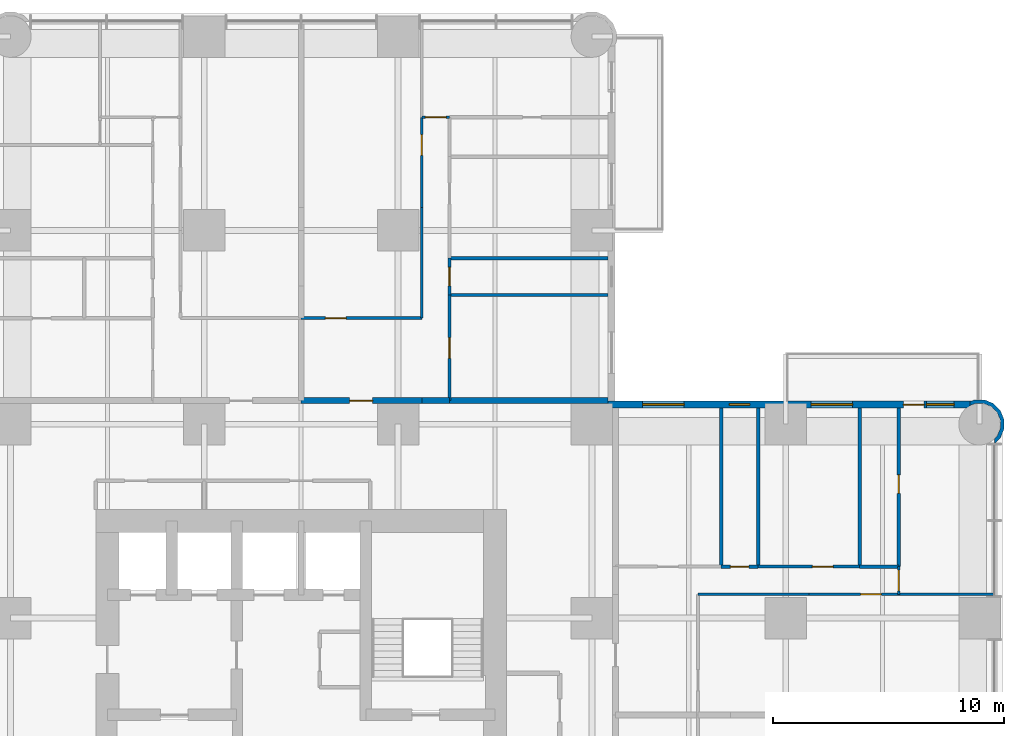
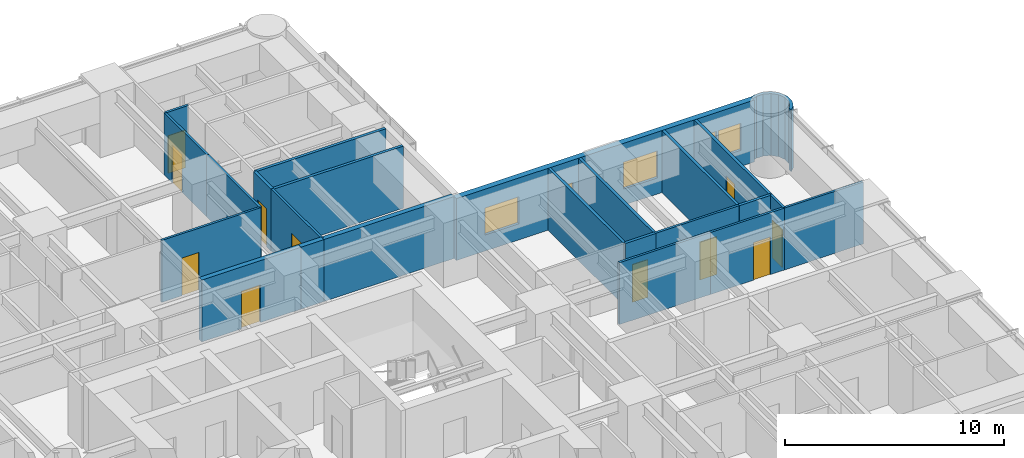
# One storey, part 14 of 17: 24 walls, 12 doors, 4 windows, 16 openings.
"""IFC4 building model written with IfcOpenShell, lengths in metres."""

from ifc_helpers import new_model, si_unit, direction, frame, frame_2d, origin, place, context, subcontext, project, spatial, polyline, rectangle, outline, extrude, material, layer, layer_set, type_object, element, fill, save


model = new_model("IFC4")

# Units and contexts
model_context = context("Model", 3, precision=1e-05, world=origin(), true_north=direction((0.0, 1.0)))
body_context = subcontext(model_context, "Body", "Model", "MODEL_VIEW")
ifc_project = project(units=[si_unit("LENGTHUNIT", "METRE"), si_unit("AREAUNIT", "SQUARE_METRE"), si_unit("VOLUMEUNIT", "CUBIC_METRE"), si_unit("PLANEANGLEUNIT", "RADIAN"), si_unit("MASSUNIT", "GRAM", prefix="KILO")], contexts=[model_context])

# Site, building, storey
site_placement = place(None, origin())
site = spatial("IfcSite", under=ifc_project, at=site_placement, CompositionType="ELEMENT")
building_placement = place(site_placement, origin())
building = spatial("IfcBuilding", under=site, at=building_placement, Name="Torre Alcanfor", CompositionType="ELEMENT")
storey_placement = place(building_placement, frame((0.0, 0.0, 74.10009765625)))
storey = spatial("IfcBuildingStorey", under=building, at=storey_placement, Name="L18", CompositionType="ELEMENT", Elevation=74.10009765625)

# Wall, opening, door
ifc_material_1 = material(Name="Concrete block masonry, hollow blocks NMX-C-404 9 MPa", Category="masonry")
ifc_layer_1 = layer(ifc_material_1, 0.25)
ifc_layer_set_1 = layer_set([ifc_layer_1], Name="Apartment entrance wall 250 EI 60")
wall_type_1 = type_object("IfcWallType", Name="Apartment entrance wall 250 EI 60", PredefinedType="PARTITIONING", material=ifc_layer_set_1)
wall_1_placement = place(storey_placement, frame((29.39990234375, 43.02490234375, 0.0), z_axis=(0.0, 0.0, 1.0), x_axis=(1.0, 0.0, 0.0)))
wall_1 = element("IfcWall", 1, at=wall_1_placement, inside=storey, type_object=wall_type_1, Name="Partition L18-CORR / L18-N2-ZAG", PredefinedType="PARTITIONING", context=body_context, shape_type="SweptSolid", body=[
    extrude(rectangle(XDim=5.22900390625, YDim=0.25, at=frame_2d((2.614501953125, 0.0))), origin(), (0.0, 0.0, 1.0), 3.449951171875),
])
opening_1_placement = place(wall_1_placement, frame((2.10009765625, 0.0, 0.0)))
opening_1 = element("IfcOpeningElement", 2, at=opening_1_placement, cuts=wall_1, Name="Opening D-A1", PredefinedType="OPENING", context=body_context, shape_type="SweptSolid", body=[
    extrude(rectangle(XDim=1.0, YDim=2.10009765625, at=frame_2d((0.5, 1.050048828125))), frame((0.0, 0.135009765625, 0.0), z_axis=(0.0, -1.0, 0.0), x_axis=(1.0, 0.0, 0.0)), (0.0, 0.0, 1.0), 0.27001953125),
])
ifc_material_2 = material(Name="Galvanised steel sheet ASTM A653", Category="steel")
door_type_1 = type_object("IfcDoorType", Name="Apartment entrance door FD60 1000x2100", OperationType="SINGLE_SWING_LEFT", PredefinedType="DOOR", material=ifc_material_2)
door_1_placement = place(opening_1_placement, origin())
door_1 = element("IfcDoor", 3, at=door_1_placement, inside=storey, type_object=door_type_1, Name="Apartment entrance L18-N2", OperationType="SINGLE_SWING_LEFT", OverallHeight=2.10009765625, OverallWidth=1.0, PredefinedType="DOOR", context=body_context, shape_type="SweptSolid", body=[
    extrude(rectangle(XDim=1.0, YDim=2.10009765625, at=frame_2d((0.5, 1.050048828125))), frame((0.0, 0.02490234375, 0.0), z_axis=(0.0, -1.0, 0.0), x_axis=(1.0, 0.0, 0.0)), (0.0, 0.0, 1.0), 0.050048828125),
])
fill(opening_1, door_1)

# Walls
wall_2_placement = place(storey_placement, frame((34.62890625, 43.02490234375, 0.0), z_axis=(0.0, 0.0, 1.0), x_axis=(1.0, 0.0, 0.0)))
element("IfcWall", 4, at=wall_2_placement, inside=storey, type_object=wall_type_1, Name="Partition L18-CORR / L18-N2-HALL", PredefinedType="PARTITIONING", context=body_context, shape_type="SweptSolid", body=[
    extrude(rectangle(XDim=1.2001953125, YDim=0.25, at=frame_2d((0.60009765625, 0.0))), origin(), (0.0, 0.0, 1.0), 3.449951171875),
])
wall_3_placement = place(storey_placement, frame((35.8291015625, 43.02490234375, 0.0), z_axis=(0.0, 0.0, 1.0), x_axis=(1.0, 0.0, 0.0)))
element("IfcWall", 5, at=wall_3_placement, inside=storey, type_object=wall_type_1, Name="Partition L18-CORR / L18-N2-BED3", PredefinedType="PARTITIONING", context=body_context, shape_type="SweptSolid", body=[
    extrude(rectangle(XDim=6.870849609375, YDim=0.25, at=frame_2d((3.435546875, 0.0))), origin(), (0.0, 0.0, 1.0), 3.449951171875),
])

# Wall, opening, door
ifc_material_3 = material(Name="Gypsum board on steel studs", Category="steel")
ifc_layer_2 = layer(ifc_material_3, 0.1201171875)
ifc_layer_set_2 = layer_set([ifc_layer_2], Name="Apartment partition 120")
wall_type_2 = type_object("IfcWallType", Name="Apartment partition 120", PredefinedType="PARTITIONING", material=ifc_layer_set_2)
wall_4_placement = place(storey_placement, frame((29.39990234375, 46.60009765625, 0.0), z_axis=(0.0, 0.0, 1.0), x_axis=(1.0, 0.0, 0.0)))
wall_4 = element("IfcWall", 6, at=wall_4_placement, inside=storey, type_object=wall_type_2, Name="Partition L18-N2-ZAG / L18-N2-KITCHEN", PredefinedType="PARTITIONING", context=body_context, shape_type="SweptSolid", body=[
    extrude(rectangle(XDim=5.22900390625, YDim=0.1201171875, at=frame_2d((2.614501953125, 0.0))), origin(), (0.0, 0.0, 1.0), 3.449951171875),
])
opening_2_placement = place(wall_4_placement, frame((1.050048828125, 0.0, 0.0)))
opening_2 = element("IfcOpeningElement", 7, at=opening_2_placement, cuts=wall_4, Name="Opening D-R1", PredefinedType="OPENING", context=body_context, shape_type="SweptSolid", body=[
    extrude(rectangle(XDim=0.89990234375, YDim=2.10009765625, at=frame_2d((0.449951171875, 1.050048828125))), frame((0.0, 0.070068359375, 0.0), z_axis=(0.0, -1.0, 0.0), x_axis=(1.0, 0.0, 0.0)), (0.0, 0.0, 1.0), 0.14013671875),
])
ifc_material_4 = material(Name="Timber", Category="wood")
door_type_2 = type_object("IfcDoorType", Name="Internal door 900x2100", OperationType="SINGLE_SWING_LEFT", PredefinedType="DOOR", material=ifc_material_4)
door_2_placement = place(opening_2_placement, origin())
door_2 = element("IfcDoor", 8, at=door_2_placement, inside=storey, type_object=door_type_2, Name="Door L18-N2 kitchen", OperationType="SINGLE_SWING_LEFT", OverallHeight=2.10009765625, OverallWidth=0.89990234375, PredefinedType="DOOR", context=body_context, shape_type="SweptSolid", body=[
    extrude(rectangle(XDim=0.89990234375, YDim=2.10009765625, at=frame_2d((0.449951171875, 1.050048828125))), frame((0.0, 0.02490234375, 0.0), z_axis=(0.0, -1.0, 0.0), x_axis=(1.0, 0.0, 0.0)), (0.0, 0.0, 1.0), 0.050048828125),
])
fill(opening_2, door_2)

# Wall
wall_5_placement = place(storey_placement, frame((34.62890625, 51.39990234375, 0.0), z_axis=(0.0, 0.0, 1.0), x_axis=(0.0, -1.0, 0.0)))
element("IfcWall", 9, at=wall_5_placement, inside=storey, type_object=wall_type_2, Name="Partition L18-N2-KITCHEN / L18-N2-HALL", PredefinedType="PARTITIONING", context=body_context, shape_type="SweptSolid", body=[
    extrude(rectangle(XDim=4.7998046875, YDim=0.1201171875, at=frame_2d((2.39990234375, 0.0))), origin(), (0.0, 0.0, 1.0), 3.449951171875),
])

# Wall, opening, door
wall_6_placement = place(storey_placement, frame((34.62890625, 55.300048828125, 0.0), z_axis=(0.0, 0.0, 1.0), x_axis=(0.0, -1.0, 0.0)))
wall_6 = element("IfcWall", 10, at=wall_6_placement, inside=storey, type_object=wall_type_2, Name="Partition L18-N2-LIVING / L18-N2-HALL", PredefinedType="PARTITIONING", context=body_context, shape_type="SweptSolid", body=[
    extrude(rectangle(XDim=3.900146484375, YDim=0.1201171875, at=frame_2d((1.9501953125, 0.0))), origin(), (0.0, 0.0, 1.0), 3.449951171875),
])
opening_3_placement = place(wall_6_placement, frame((0.75, 0.0, 0.0)))
opening_3 = element("IfcOpeningElement", 11, at=opening_3_placement, cuts=wall_6, Name="Opening D-R1", PredefinedType="OPENING", context=body_context, shape_type="SweptSolid", body=[
    extrude(rectangle(XDim=0.89990234375, YDim=2.10009765625, at=frame_2d((0.449951171875, 1.050048828125))), frame((0.0, 0.070068359375, 0.0), z_axis=(0.0, -1.0, 0.0), x_axis=(1.0, 0.0, 0.0)), (0.0, 0.0, 1.0), 0.14013671875),
])
door_3_placement = place(opening_3_placement, frame((0.89990234375, 0.0, 0.0), z_axis=(0.0, 0.0, 1.0), x_axis=(-1.0, 0.0, 0.0)))
door_3 = element("IfcDoor", 12, at=door_3_placement, inside=storey, type_object=door_type_2, Name="Door L18-N2 living", OperationType="SINGLE_SWING_LEFT", OverallHeight=2.10009765625, OverallWidth=0.89990234375, PredefinedType="DOOR", context=body_context, shape_type="SweptSolid", body=[
    extrude(rectangle(XDim=0.89990234375, YDim=2.10009765625, at=frame_2d((0.449951171875, 1.050048828125))), frame((0.0, 0.025146484375, 0.0), z_axis=(0.0, -1.0, 0.0), x_axis=(1.0, 0.0, 0.0)), (0.0, 0.0, 1.0), 0.050048828125),
])
fill(opening_3, door_3)

wall_7_placement = place(storey_placement, frame((35.8291015625, 47.60009765625, 0.0), z_axis=(0.0, 0.0, 1.0), x_axis=(0.0, -1.0, 0.0)))
wall_7 = element("IfcWall", 13, at=wall_7_placement, inside=storey, type_object=wall_type_2, Name="Partition L18-N2-HALL / L18-N2-BED3", PredefinedType="PARTITIONING", context=body_context, shape_type="SweptSolid", body=[
    extrude(rectangle(XDim=4.5751953125, YDim=0.1201171875, at=frame_2d((2.28759765625, 0.0))), origin(), (0.0, 0.0, 1.0), 3.449951171875),
])
opening_4_placement = place(wall_7_placement, frame((1.85009765625, 0.0, 0.0)))
opening_4 = element("IfcOpeningElement", 14, at=opening_4_placement, cuts=wall_7, Name="Opening D-R1", PredefinedType="OPENING", context=body_context, shape_type="SweptSolid", body=[
    extrude(rectangle(XDim=0.89990234375, YDim=2.10009765625, at=frame_2d((0.449951171875, 1.050048828125))), frame((0.0, 0.070068359375, 0.0), z_axis=(0.0, -1.0, 0.0), x_axis=(1.0, 0.0, 0.0)), (0.0, 0.0, 1.0), 0.14013671875),
])
door_4_placement = place(opening_4_placement, origin())
door_4 = element("IfcDoor", 15, at=door_4_placement, inside=storey, type_object=door_type_2, Name="Door L18-N2 bed3", OperationType="SINGLE_SWING_RIGHT", OverallHeight=2.10009765625, OverallWidth=0.89990234375, PredefinedType="DOOR", context=body_context, shape_type="SweptSolid", body=[
    extrude(rectangle(XDim=0.89990234375, YDim=2.10009765625, at=frame_2d((0.449951171875, 1.050048828125))), frame((0.0, 0.02490234375, 0.0), z_axis=(0.0, -1.0, 0.0), x_axis=(1.0, 0.0, 0.0)), (0.0, 0.0, 1.0), 0.050048828125),
])
fill(opening_4, door_4)

wall_8_placement = place(storey_placement, frame((34.62890625, 55.300048828125, 0.0), z_axis=(0.0, 0.0, 1.0), x_axis=(1.0, 0.0, 0.0)))
wall_8 = element("IfcWall", 16, at=wall_8_placement, inside=storey, type_object=wall_type_2, Name="Partition L18-N2-HALL / L18-N2-MASTER", PredefinedType="PARTITIONING", context=body_context, shape_type="SweptSolid", body=[
    extrude(rectangle(XDim=1.2001953125, YDim=0.1201171875, at=frame_2d((0.60009765625, 0.0))), origin(), (0.0, 0.0, 1.0), 3.449951171875),
])
opening_5_placement = place(wall_8_placement, frame((0.15087890625, 0.0, 0.0)))
opening_5 = element("IfcOpeningElement", 17, at=opening_5_placement, cuts=wall_8, Name="Opening D-R1", PredefinedType="OPENING", context=body_context, shape_type="SweptSolid", body=[
    extrude(rectangle(XDim=0.89990234375, YDim=2.10009765625, at=frame_2d((0.449951171875, 1.050048828125))), frame((0.0, 0.070068359375, 0.0), z_axis=(0.0, -1.0, 0.0), x_axis=(1.0, 0.0, 0.0)), (0.0, 0.0, 1.0), 0.14013671875),
])
door_5_placement = place(opening_5_placement, origin())
door_5 = element("IfcDoor", 18, at=door_5_placement, inside=storey, type_object=door_type_2, Name="Door L18-N2 master", OperationType="SINGLE_SWING_LEFT", OverallHeight=2.10009765625, OverallWidth=0.89990234375, PredefinedType="DOOR", context=body_context, shape_type="SweptSolid", body=[
    extrude(rectangle(XDim=0.89990234375, YDim=2.10009765625, at=frame_2d((0.449951171875, 1.050048828125))), frame((0.0, 0.02490234375, 0.0), z_axis=(0.0, -1.0, 0.0), x_axis=(1.0, 0.0, 0.0)), (0.0, 0.0, 1.0), 0.050048828125),
])
fill(opening_5, door_5)

# Wall
wall_9_placement = place(storey_placement, frame((51.39990234375, 34.62890625, 0.0), z_axis=(0.0, 0.0, 1.0), x_axis=(-1.0, 0.0, 0.0)))
element("IfcWall", 19, at=wall_9_placement, inside=storey, type_object=wall_type_2, Name="Partition L18-E1-KITCHEN / L18-E1-HALL", PredefinedType="PARTITIONING", context=body_context, shape_type="SweptSolid", body=[
    extrude(rectangle(XDim=4.7998046875, YDim=0.1201171875, at=frame_2d((2.39990234375, 0.0))), origin(), (0.0, 0.0, 1.0), 3.449951171875),
])

# Wall, opening, door
wall_10_placement = place(storey_placement, frame((55.300048828125, 34.62890625, 0.0), z_axis=(0.0, 0.0, 1.0), x_axis=(-1.0, 0.0, 0.0)))
wall_10 = element("IfcWall", 20, at=wall_10_placement, inside=storey, type_object=wall_type_2, Name="Partition L18-E1-LIVING / L18-E1-HALL", PredefinedType="PARTITIONING", context=body_context, shape_type="SweptSolid", body=[
    extrude(rectangle(XDim=3.900146484375, YDim=0.1201171875, at=frame_2d((1.9501953125, 0.0))), origin(), (0.0, 0.0, 1.0), 3.449951171875),
])
opening_6_placement = place(wall_10_placement, frame((0.75, 0.0, 0.0)))
opening_6 = element("IfcOpeningElement", 21, at=opening_6_placement, cuts=wall_10, Name="Opening D-R1", PredefinedType="OPENING", context=body_context, shape_type="SweptSolid", body=[
    extrude(rectangle(XDim=0.89990234375, YDim=2.10009765625, at=frame_2d((0.449951171875, 1.050048828125))), frame((0.0, 0.070068359375, 0.0), z_axis=(0.0, -1.0, 0.0), x_axis=(1.0, 0.0, 0.0)), (0.0, 0.0, 1.0), 0.14013671875),
])
door_6_placement = place(opening_6_placement, origin())
door_6 = element("IfcDoor", 22, at=door_6_placement, inside=storey, type_object=door_type_2, Name="Door L18-E1 living", OperationType="SINGLE_SWING_RIGHT", OverallHeight=2.10009765625, OverallWidth=0.89990234375, PredefinedType="DOOR", context=body_context, shape_type="SweptSolid", body=[
    extrude(rectangle(XDim=0.89990234375, YDim=2.10009765625, at=frame_2d((0.449951171875, 1.050048828125))), frame((0.0, 0.02490234375, 0.0), z_axis=(0.0, -1.0, 0.0), x_axis=(1.0, 0.0, 0.0)), (0.0, 0.0, 1.0), 0.050048828125),
])
fill(opening_6, door_6)

# Wall
wall_11_placement = place(storey_placement, frame((59.449951171875, 34.62890625, 0.0), z_axis=(0.0, 0.0, 1.0), x_axis=(-1.0, 0.0, 0.0)))
element("IfcWall", 23, at=wall_11_placement, inside=storey, type_object=wall_type_2, Name="Partition L18-E1-LIVING / L18-E1-MASTER", PredefinedType="PARTITIONING", context=body_context, shape_type="SweptSolid", body=[
    extrude(rectangle(XDim=4.14990234375, YDim=0.1201171875, at=frame_2d((2.074951171875, 0.0))), origin(), (0.0, 0.0, 1.0), 3.449951171875),
])

# Wall, opening, door
wall_12_placement = place(storey_placement, frame((53.60009765625, 35.8291015625, 0.0), z_axis=(0.0, 0.0, 1.0), x_axis=(-1.0, 0.0, 0.0)))
wall_12 = element("IfcWall", 24, at=wall_12_placement, inside=storey, type_object=wall_type_2, Name="Partition L18-E1-HALL / L18-E1-BED2", PredefinedType="PARTITIONING", context=body_context, shape_type="SweptSolid", body=[
    extrude(rectangle(XDim=4.400146484375, YDim=0.1201171875, at=frame_2d((2.2001953125, 0.0))), origin(), (0.0, 0.0, 1.0), 3.449951171875),
])
opening_7_placement = place(wall_12_placement, frame((1.14990234375, 0.0, 0.0)))
opening_7 = element("IfcOpeningElement", 25, at=opening_7_placement, cuts=wall_12, Name="Opening D-R1", PredefinedType="OPENING", context=body_context, shape_type="SweptSolid", body=[
    extrude(rectangle(XDim=0.89990234375, YDim=2.10009765625, at=frame_2d((0.449951171875, 1.050048828125))), frame((0.0, 0.070068359375, 0.0), z_axis=(0.0, -1.0, 0.0), x_axis=(1.0, 0.0, 0.0)), (0.0, 0.0, 1.0), 0.14013671875),
])
door_7_placement = place(opening_7_placement, frame((0.89990234375, 0.0, 0.0), z_axis=(0.0, 0.0, 1.0), x_axis=(-1.0, 0.0, 0.0)))
door_7 = element("IfcDoor", 26, at=door_7_placement, inside=storey, type_object=door_type_2, Name="Door L18-E1 bed2", OperationType="SINGLE_SWING_RIGHT", OverallHeight=2.10009765625, OverallWidth=0.89990234375, PredefinedType="DOOR", context=body_context, shape_type="SweptSolid", body=[
    extrude(rectangle(XDim=0.89990234375, YDim=2.10009765625, at=frame_2d((0.449951171875, 1.050048828125))), frame((0.0, 0.025146484375, 0.0), z_axis=(0.0, -1.0, 0.0), x_axis=(1.0, 0.0, 0.0)), (0.0, 0.0, 1.0), 0.050048828125),
])
fill(opening_7, door_7)

wall_13_placement = place(storey_placement, frame((55.300048828125, 34.62890625, 0.0), z_axis=(0.0, 0.0, 1.0), x_axis=(0.0, 1.0, 0.0)))
wall_13 = element("IfcWall", 27, at=wall_13_placement, inside=storey, type_object=wall_type_2, Name="Partition L18-E1-HALL / L18-E1-MASTER", PredefinedType="PARTITIONING", context=body_context, shape_type="SweptSolid", body=[
    extrude(rectangle(XDim=1.2001953125, YDim=0.1201171875, at=frame_2d((0.60009765625, 0.0))), origin(), (0.0, 0.0, 1.0), 3.449951171875),
])
opening_8_placement = place(wall_13_placement, frame((0.15087890625, 0.0, 0.0)))
opening_8 = element("IfcOpeningElement", 28, at=opening_8_placement, cuts=wall_13, Name="Opening D-R1", PredefinedType="OPENING", context=body_context, shape_type="SweptSolid", body=[
    extrude(rectangle(XDim=0.89990234375, YDim=2.10009765625, at=frame_2d((0.449951171875, 1.050048828125))), frame((0.0, 0.070068359375, 0.0), z_axis=(0.0, -1.0, 0.0), x_axis=(1.0, 0.0, 0.0)), (0.0, 0.0, 1.0), 0.14013671875),
])
door_8_placement = place(opening_8_placement, frame((0.89990234375, 0.0, 0.0), z_axis=(0.0, 0.0, 1.0), x_axis=(-1.0, 0.0, 0.0)))
door_8 = element("IfcDoor", 29, at=door_8_placement, inside=storey, type_object=door_type_2, Name="Door L18-E1 master", OperationType="SINGLE_SWING_RIGHT", OverallHeight=2.10009765625, OverallWidth=0.89990234375, PredefinedType="DOOR", context=body_context, shape_type="SweptSolid", body=[
    extrude(rectangle(XDim=0.89990234375, YDim=2.10009765625, at=frame_2d((0.449951171875, 1.050048828125))), frame((0.0, 0.025146484375, 0.0), z_axis=(0.0, -1.0, 0.0), x_axis=(1.0, 0.0, 0.0)), (0.0, 0.0, 1.0), 0.050048828125),
])
fill(opening_8, door_8)

# Wall, openings, door, windows
ifc_material_5 = material(Name="Limestone cladding", Category="masonry")
ifc_layer_3 = layer(ifc_material_5, 0.0400390625, Name="Facing")
ifc_material_6 = material(Name="Ventilated air cavity")
ifc_layer_4 = layer(ifc_material_6, 0.02001953125, ventilated=True, Name="Ventilated joint")
ifc_material_7 = material(Name="Mineral wool insulation", Category="insulation")
ifc_layer_5 = layer(ifc_material_7, 0.10009765625, Name="Insulation")
ifc_material_8 = material(Name="Concrete f'c 35 MPa", Category="concrete")
ifc_layer_6 = layer(ifc_material_8, 0.139892578125, Name="Backing")
ifc_layer_set_3 = layer_set([ifc_layer_3, ifc_layer_4, ifc_layer_5, ifc_layer_6], Name="External wall stone-clad 300")
wall_type_3 = type_object("IfcWallType", Name="External wall stone-clad 300", PredefinedType="SOLIDWALL", material=ifc_layer_set_3)
wall_14_placement = place(storey_placement, frame((58.39990234375, 42.85009765625, 0.0), z_axis=(0.0, 0.0, 1.0), x_axis=(-1.0, 0.0, 0.0)))
wall_14 = element("IfcWall", 30, at=wall_14_placement, inside=storey, type_object=wall_type_3, Name="External wall L18 9", PredefinedType="SOLIDWALL", context=body_context, shape_type="SweptSolid", body=[
    extrude(rectangle(XDim=15.699951171875, YDim=0.300048828125, at=frame_2d((7.85009765625, 0.0))), origin(), (0.0, 0.0, 1.0), 3.449951171875),
])
opening_9_placement = place(wall_14_placement, frame((12.39990234375, 0.0, 0.89990234375)))
opening_9 = element("IfcOpeningElement", 31, at=opening_9_placement, cuts=wall_14, Name="Opening W2", PredefinedType="OPENING", context=body_context, shape_type="SweptSolid", body=[
    extrude(rectangle(XDim=1.800048828125, YDim=1.5, at=frame_2d((0.89990234375, 0.75))), frame((0.0, 0.159912109375, 0.0), z_axis=(0.0, -1.0, 0.0), x_axis=(1.0, 0.0, 0.0)), (0.0, 0.0, 1.0), 0.320068359375),
])
opening_10_placement = place(wall_14_placement, frame((9.550048828125, 0.0, 1.5)))
opening_10 = element("IfcOpeningElement", 32, at=opening_10_placement, cuts=wall_14, Name="Opening W3", PredefinedType="OPENING", context=body_context, shape_type="SweptSolid", body=[
    extrude(rectangle(XDim=0.89990234375, YDim=0.699951171875, at=frame_2d((0.449951171875, 0.35009765625))), frame((0.0, 0.159912109375, 0.0), z_axis=(0.0, -1.0, 0.0), x_axis=(1.0, 0.0, 0.0)), (0.0, 0.0, 1.0), 0.320068359375),
])
opening_11_placement = place(wall_14_placement, frame((5.10009765625, 0.0, 0.89990234375)))
opening_11 = element("IfcOpeningElement", 33, at=opening_11_placement, cuts=wall_14, Name="Opening W2", PredefinedType="OPENING", context=body_context, shape_type="SweptSolid", body=[
    extrude(rectangle(XDim=1.800048828125, YDim=1.5, at=frame_2d((0.89990234375, 0.75))), frame((0.0, 0.159912109375, 0.0), z_axis=(0.0, -1.0, 0.0), x_axis=(1.0, 0.0, 0.0)), (0.0, 0.0, 1.0), 0.320068359375),
])
opening_12_placement = place(wall_14_placement, frame((2.0, 0.0, 0.0)))
opening_12 = element("IfcOpeningElement", 34, at=opening_12_placement, cuts=wall_14, Name="Opening D-B1", PredefinedType="OPENING", context=body_context, shape_type="SweptSolid", body=[
    extrude(rectangle(XDim=0.89990234375, YDim=2.39990234375, at=frame_2d((0.449951171875, 1.199951171875))), frame((0.0, 0.159912109375, 0.0), z_axis=(0.0, -1.0, 0.0), x_axis=(1.0, 0.0, 0.0)), (0.0, 0.0, 1.0), 0.320068359375),
])
opening_13_placement = place(wall_14_placement, frame((0.699951171875, 0.0, 0.89990234375)))
opening_13 = element("IfcOpeningElement", 35, at=opening_13_placement, cuts=wall_14, Name="Opening W4", PredefinedType="OPENING", context=body_context, shape_type="SweptSolid", body=[
    extrude(rectangle(XDim=1.199951171875, YDim=1.5, at=frame_2d((0.60009765625, 0.75))), frame((0.0, 0.159912109375, 0.0), z_axis=(0.0, -1.0, 0.0), x_axis=(1.0, 0.0, 0.0)), (0.0, 0.0, 1.0), 0.320068359375),
])
ifc_material_9 = material(Name="Aluminium and glass", Category="aluminium")
door_type_3 = type_object("IfcDoorType", Name="Balcony door glazed 900x2400", OperationType="SINGLE_SWING_LEFT", PredefinedType="DOOR", material=ifc_material_9)
door_9_placement = place(opening_12_placement, origin())
door_9 = element("IfcDoor", 36, at=door_9_placement, inside=storey, type_object=door_type_3, Name="Balcony door L18-E1", OperationType="SINGLE_SWING_RIGHT", OverallHeight=2.39990234375, OverallWidth=0.89990234375, PredefinedType="DOOR", context=body_context, shape_type="SweptSolid", body=[
    extrude(rectangle(XDim=0.89990234375, YDim=2.39990234375, at=frame_2d((0.449951171875, 1.199951171875))), frame((0.0, 0.02490234375, 0.0), z_axis=(0.0, -1.0, 0.0), x_axis=(1.0, 0.0, 0.0)), (0.0, 0.0, 1.0), 0.050048828125),
])
fill(opening_12, door_9)
ifc_material_10 = material(Name="Aluminium frame with clear double glazing", Category="aluminium")
window_type_1 = type_object("IfcWindowType", Name="Window bathroom 900x700", PartitioningType="SINGLE_PANEL", PredefinedType="WINDOW", material=ifc_material_10)
window_1_placement = place(opening_10_placement, origin())
window_1 = element("IfcWindow", 37, at=window_1_placement, inside=storey, type_object=window_type_1, Name="Window W3 L18-E1", OverallHeight=0.699951171875, OverallWidth=0.89990234375, PartitioningType="SINGLE_PANEL", PredefinedType="WINDOW", context=body_context, shape_type="SweptSolid", body=[
    extrude(rectangle(XDim=0.89990234375, YDim=0.699951171875, at=frame_2d((0.449951171875, 0.35009765625))), frame((0.0, 0.030029296875, 0.0), z_axis=(0.0, -1.0, 0.0), x_axis=(1.0, 0.0, 0.0)), (0.0, 0.0, 1.0), 0.06005859375),
])
fill(opening_10, window_1)
ifc_material_11 = material(Name="Aluminium frame with clear double glazing", Category="aluminium")
window_type_2 = type_object("IfcWindowType", Name="Window bedroom 1200x1500", PartitioningType="SINGLE_PANEL", PredefinedType="WINDOW", material=ifc_material_11)
window_2_placement = place(opening_13_placement, origin())
window_2 = element("IfcWindow", 38, at=window_2_placement, inside=storey, type_object=window_type_2, Name="Window W4 L18-E1", OverallHeight=1.5, OverallWidth=1.199951171875, PartitioningType="SINGLE_PANEL", PredefinedType="WINDOW", context=body_context, shape_type="SweptSolid", body=[
    extrude(rectangle(XDim=1.199951171875, YDim=1.5, at=frame_2d((0.60009765625, 0.75))), frame((0.0, 0.030029296875, 0.0), z_axis=(0.0, -1.0, 0.0), x_axis=(1.0, 0.0, 0.0)), (0.0, 0.0, 1.0), 0.06005859375),
])
fill(opening_13, window_2)
ifc_material_12 = material(Name="Aluminium frame with clear double glazing", Category="aluminium")
window_type_3 = type_object("IfcWindowType", Name="Window bedroom 1800x1500", PartitioningType="SINGLE_PANEL", PredefinedType="WINDOW", material=ifc_material_12)
window_3_placement = place(opening_9_placement, origin())
window_3 = element("IfcWindow", 39, at=window_3_placement, inside=storey, type_object=window_type_3, Name="Window W2 L18-E1", OverallHeight=1.5, OverallWidth=1.800048828125, PartitioningType="SINGLE_PANEL", PredefinedType="WINDOW", context=body_context, shape_type="SweptSolid", body=[
    extrude(rectangle(XDim=1.800048828125, YDim=1.5, at=frame_2d((0.89990234375, 0.75))), frame((0.0, 0.030029296875, 0.0), z_axis=(0.0, -1.0, 0.0), x_axis=(1.0, 0.0, 0.0)), (0.0, 0.0, 1.0), 0.06005859375),
])
fill(opening_9, window_3)
window_4_placement = place(opening_11_placement, origin())
window_4 = element("IfcWindow", 40, at=window_4_placement, inside=storey, type_object=window_type_3, Name="Window W2 L18-E1", OverallHeight=1.5, OverallWidth=1.800048828125, PartitioningType="SINGLE_PANEL", PredefinedType="WINDOW", context=body_context, shape_type="SweptSolid", body=[
    extrude(rectangle(XDim=1.800048828125, YDim=1.5, at=frame_2d((0.89990234375, 0.75))), frame((0.0, 0.030029296875, 0.0), z_axis=(0.0, -1.0, 0.0), x_axis=(1.0, 0.0, 0.0)), (0.0, 0.0, 1.0), 0.06005859375),
])
fill(opening_11, window_4)

# Wall
ifc_layer_7 = layer(ifc_material_5, 0.0400390625, Name="Facing")
ifc_layer_8 = layer(ifc_material_6, 0.02001953125, ventilated=True, Name="Ventilated joint")
ifc_layer_9 = layer(ifc_material_7, 0.10009765625, Name="Insulation")
ifc_layer_10 = layer(ifc_material_8, 0.139892578125, Name="Backing")
ifc_layer_set_4 = layer_set([ifc_layer_7, ifc_layer_8, ifc_layer_9, ifc_layer_10], Name="Rounded corner pier stone-clad 300")
wall_type_4 = type_object("IfcWallType", Name="Rounded corner pier stone-clad 300", PredefinedType="SOLIDWALL", material=ifc_layer_set_4)
wall_15_placement = place(storey_placement, frame((59.410519256, 41.23340608, 0.0), z_axis=(0.0, 0.0, 1.0), x_axis=(0.926129809145, 0.377204953059, 0.0)))
element("IfcWall", 41, at=wall_15_placement, inside=storey, type_object=wall_type_4, Name="Corner pier L18 18", PredefinedType="SOLIDWALL", context=body_context, shape_type="SweptSolid", body=[
    extrude(outline(polyline([(0.6260654471319579, 0.34524919711057256), (0.7850146045978224, 0.7355079985228963), (0.7823098124660501, 1.1573373086599013), (0.6187697625812524, 1.546081906916958), (0.31877691555394516, 1.8425152342918512), (-0.07170799176881437, 2.0015564828107086), (-0.24004949470661174, 2.000526523212158), (-0.2695944713928893, 2.0173049949130335), (-0.36998902843916337, 1.8407134525266757), (-0.10235758996356603, 1.8421635923174307), (0.22956588655630128, 1.7069739265237522), (0.4845024203782949, 1.4552530429107593), (0.6236098424040335, 1.1249645948716174), (0.6257138051575375, 0.7663837026280839), (0.49052413936385914, 0.43446022610821644), (0.23848505878743742, 0.1793896774287799), (0.09020527382959523, 0.11693875386038477), (0.010914877202648991, -0.0777384350249053), (0.02448123182880161, -0.08326389820448342), (0.32940601384662893, 0.045348441136258355), (0.47997135267738844, 0.19755163478368112), (0.49907282709518125, 0.19267151555903828), (0.5076193949673722, 0.22530566424262682), (0.6260654471319579, 0.34524919711057256)])), origin(), (0.0, 0.0, 1.0), 3.449951171875),
])

# Wall, opening, door
ifc_material_13 = material(Name="Cement board on steel studs", Category="steel")
ifc_layer_11 = layer(ifc_material_13, 0.14990234375)
ifc_layer_set_5 = layer_set([ifc_layer_11], Name="Wet area partition 150")
wall_type_5 = type_object("IfcWallType", Name="Wet area partition 150", PredefinedType="PARTITIONING", material=ifc_layer_set_5)
wall_16_placement = place(storey_placement, frame((35.8291015625, 49.199951171875, 0.0), z_axis=(0.0, 0.0, 1.0), x_axis=(0.0, -1.0, 0.0)))
wall_16 = element("IfcWall", 42, at=wall_16_placement, inside=storey, type_object=wall_type_5, Name="Partition L18-N2-HALL / L18-N2-BATH1", PredefinedType="PARTITIONING", context=body_context, shape_type="SweptSolid", body=[
    extrude(rectangle(XDim=1.599853515625, YDim=0.14990234375, at=frame_2d((0.7998046875, 0.0))), origin(), (0.0, 0.0, 1.0), 3.449951171875),
])
opening_14_placement = place(wall_16_placement, frame((0.39990234375, 0.0, 0.0)))
opening_14 = element("IfcOpeningElement", 43, at=opening_14_placement, cuts=wall_16, Name="Opening D-R2", PredefinedType="OPENING", context=body_context, shape_type="SweptSolid", body=[
    extrude(rectangle(XDim=0.800048828125, YDim=2.10009765625, at=frame_2d((0.39990234375, 1.050048828125))), frame((0.0, 0.0849609375, 0.0), z_axis=(0.0, -1.0, 0.0), x_axis=(1.0, 0.0, 0.0)), (0.0, 0.0, 1.0), 0.169921875),
])
ifc_material_14 = material(Name="Timber", Category="wood")
door_type_4 = type_object("IfcDoorType", Name="Bathroom door 800x2100", OperationType="SINGLE_SWING_LEFT", PredefinedType="DOOR", material=ifc_material_14)
door_10_placement = place(opening_14_placement, origin())
door_10 = element("IfcDoor", 44, at=door_10_placement, inside=storey, type_object=door_type_4, Name="Door L18-N2 bath1", OperationType="SINGLE_SWING_LEFT", OverallHeight=2.10009765625, OverallWidth=0.800048828125, PredefinedType="DOOR", context=body_context, shape_type="SweptSolid", body=[
    extrude(rectangle(XDim=0.800048828125, YDim=2.10009765625, at=frame_2d((0.39990234375, 1.050048828125))), frame((0.0, 0.02490234375, 0.0), z_axis=(0.0, -1.0, 0.0), x_axis=(1.0, 0.0, 0.0)), (0.0, 0.0, 1.0), 0.050048828125),
])
fill(opening_14, door_10)

# Walls
for number, where, z_axis, x_axis, name in (
    (45, (35.8291015625, 47.60009765625, 0.0), (0.0, 0.0, 1.0), (1.0, 0.0, 0.0), "Partition L18-N2-BED3 / L18-N2-BATH1"),
    (46, (35.8291015625, 49.199951171875, 0.0), (0.0, 0.0, 1.0), (1.0, 0.0, 0.0), "Partition L18-N2-BATH1 / L18-N2-BED2"),
):
    element("IfcWall", number, at=place(storey_placement, frame(where, z_axis=z_axis, x_axis=x_axis)), inside=storey, type_object=wall_type_5, Name=name, PredefinedType="PARTITIONING", context=body_context, shape_type="SweptSolid", body=[
        extrude(rectangle(XDim=6.870849609375, YDim=0.14990234375, at=frame_2d((3.435546875, 0.0))), origin(), (0.0, 0.0, 1.0), 3.449951171875),
    ])

# Wall, opening, door
wall_17_placement = place(storey_placement, frame((49.199951171875, 35.8291015625, 0.0), z_axis=(0.0, 0.0, 1.0), x_axis=(-1.0, 0.0, 0.0)))
wall_17 = element("IfcWall", 47, at=wall_17_placement, inside=storey, type_object=wall_type_5, Name="Partition L18-E1-HALL / L18-E1-BATH1", PredefinedType="PARTITIONING", context=body_context, shape_type="SweptSolid", body=[
    extrude(rectangle(XDim=1.599853515625, YDim=0.14990234375, at=frame_2d((0.7998046875, 0.0))), origin(), (0.0, 0.0, 1.0), 3.449951171875),
])
opening_15_placement = place(wall_17_placement, frame((0.39990234375, 0.0, 0.0)))
opening_15 = element("IfcOpeningElement", 48, at=opening_15_placement, cuts=wall_17, Name="Opening D-R2", PredefinedType="OPENING", context=body_context, shape_type="SweptSolid", body=[
    extrude(rectangle(XDim=0.800048828125, YDim=2.10009765625, at=frame_2d((0.39990234375, 1.050048828125))), frame((0.0, 0.0849609375, 0.0), z_axis=(0.0, -1.0, 0.0), x_axis=(1.0, 0.0, 0.0)), (0.0, 0.0, 1.0), 0.169921875),
])
door_11_placement = place(opening_15_placement, frame((0.800048828125, 0.0, 0.0), z_axis=(0.0, 0.0, 1.0), x_axis=(-1.0, 0.0, 0.0)))
door_11 = element("IfcDoor", 49, at=door_11_placement, inside=storey, type_object=door_type_4, Name="Door L18-E1 bath1", OperationType="SINGLE_SWING_RIGHT", OverallHeight=2.10009765625, OverallWidth=0.800048828125, PredefinedType="DOOR", context=body_context, shape_type="SweptSolid", body=[
    extrude(rectangle(XDim=0.800048828125, YDim=2.10009765625, at=frame_2d((0.400146484375, 1.050048828125))), frame((0.0, 0.025146484375, 0.0), z_axis=(0.0, -1.0, 0.0), x_axis=(1.0, 0.0, 0.0)), (0.0, 0.0, 1.0), 0.050048828125),
])
fill(opening_15, door_11)

# Walls
wall_18_placement = place(storey_placement, frame((55.300048828125, 35.8291015625, 0.0), z_axis=(0.0, 0.0, 1.0), x_axis=(-1.0, 0.0, 0.0)))
element("IfcWall", 50, at=wall_18_placement, inside=storey, type_object=wall_type_5, Name="Partition L18-E1-HALL / L18-E1-ENSBATH", PredefinedType="PARTITIONING", context=body_context, shape_type="SweptSolid", body=[
    extrude(rectangle(XDim=1.699951171875, YDim=0.14990234375, at=frame_2d((0.85009765625, 0.0))), origin(), (0.0, 0.0, 1.0), 3.449951171875),
])
for number, where, z_axis, x_axis, name in (
    (51, (47.60009765625, 35.8291015625, 0.0), (0.0, 0.0, 1.0), (0.0, 1.0, 0.0), "Partition L18-E1-BED3 / L18-E1-BATH1"),
    (52, (49.199951171875, 35.8291015625, 0.0), (0.0, 0.0, 1.0), (0.0, 1.0, 0.0), "Partition L18-E1-BATH1 / L18-E1-BED2"),
    (53, (53.60009765625, 35.8291015625, 0.0), (0.0, 0.0, 1.0), (0.0, 1.0, 0.0), "Partition L18-E1-BED2 / L18-E1-ENSBATH"),
):
    element("IfcWall", number, at=place(storey_placement, frame(where, z_axis=z_axis, x_axis=x_axis)), inside=storey, type_object=wall_type_5, Name=name, PredefinedType="PARTITIONING", context=body_context, shape_type="SweptSolid", body=[
        extrude(rectangle(XDim=6.870849609375, YDim=0.14990234375, at=frame_2d((3.435546875, 0.0))), origin(), (0.0, 0.0, 1.0), 3.449951171875),
    ])

# Wall, opening, door
wall_19_placement = place(storey_placement, frame((55.300048828125, 35.8291015625, 0.0), z_axis=(0.0, 0.0, 1.0), x_axis=(0.0, 1.0, 0.0)))
wall_19 = element("IfcWall", 54, at=wall_19_placement, inside=storey, type_object=wall_type_5, Name="Partition L18-E1-ENSBATH / L18-E1-MASTER", PredefinedType="PARTITIONING", context=body_context, shape_type="SweptSolid", body=[
    extrude(rectangle(XDim=6.870849609375, YDim=0.14990234375, at=frame_2d((3.435546875, 0.0))), origin(), (0.0, 0.0, 1.0), 3.449951171875),
])
opening_16_placement = place(wall_19_placement, frame((3.1708984375, 0.0, 0.0)))
opening_16 = element("IfcOpeningElement", 55, at=opening_16_placement, cuts=wall_19, Name="Opening D-R2", PredefinedType="OPENING", context=body_context, shape_type="SweptSolid", body=[
    extrude(rectangle(XDim=0.800048828125, YDim=2.10009765625, at=frame_2d((0.39990234375, 1.050048828125))), frame((0.0, 0.0849609375, 0.0), z_axis=(0.0, -1.0, 0.0), x_axis=(1.0, 0.0, 0.0)), (0.0, 0.0, 1.0), 0.169921875),
])
door_12_placement = place(opening_16_placement, origin())
door_12 = element("IfcDoor", 56, at=door_12_placement, inside=storey, type_object=door_type_4, Name="Door L18-E1 ensbath", OperationType="SINGLE_SWING_RIGHT", OverallHeight=2.10009765625, OverallWidth=0.800048828125, PredefinedType="DOOR", context=body_context, shape_type="SweptSolid", body=[
    extrude(rectangle(XDim=0.800048828125, YDim=2.10009765625, at=frame_2d((0.39990234375, 1.050048828125))), frame((0.0, 0.02490234375, 0.0), z_axis=(0.0, -1.0, 0.0), x_axis=(1.0, 0.0, 0.0)), (0.0, 0.0, 1.0), 0.050048828125),
])
fill(opening_16, door_12)

save(model, "model.ifc")
